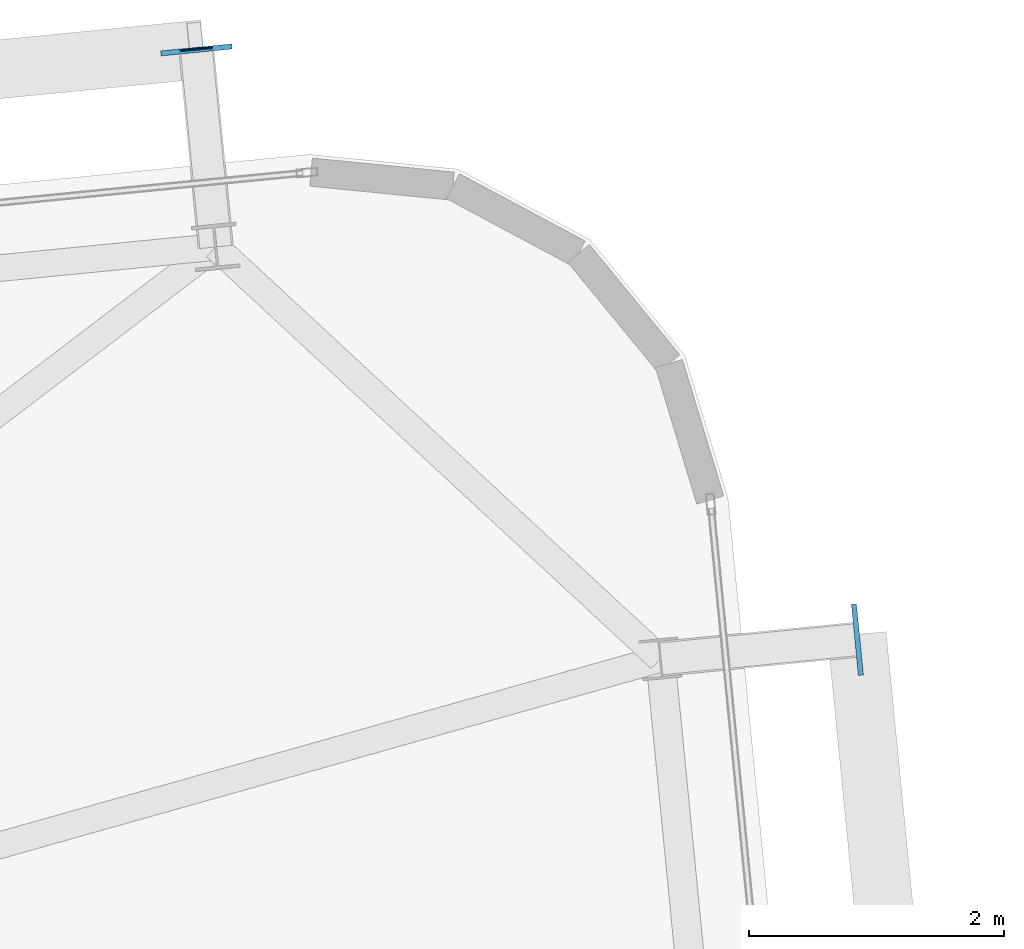
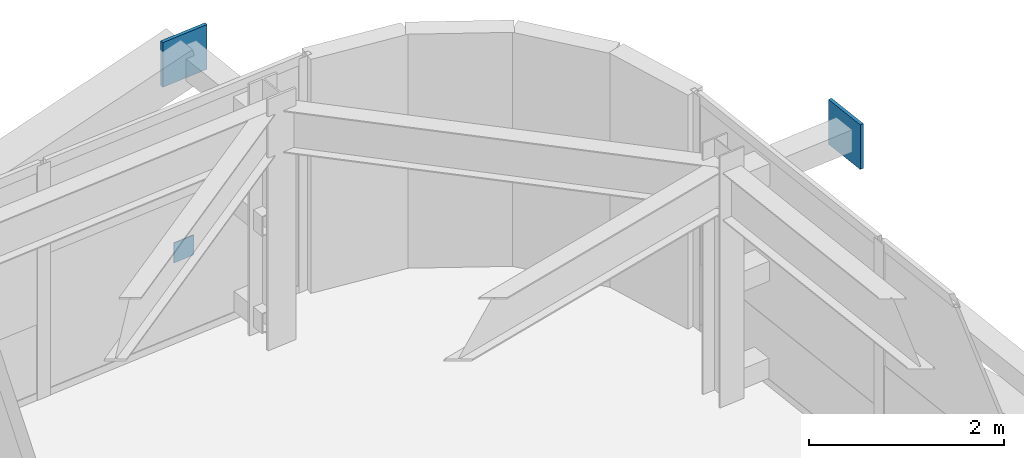
# One storey, part 45 of 52: 3 plates.
"""IFC4 building model written with IfcOpenShell, lengths in metres."""

from ifc_helpers import new_model, si_unit, direction, frame, origin, origin_2d, place, context, subcontext, project, spatial, rectangle, extrude, source, transform, mapped, material, layer, layer_set, type_object, element, save


model = new_model("IFC4")

# Units and contexts
model_context = context("Model", 3, precision=1e-05, world=origin(), true_north=direction((0.0, 1.0)))
body_context = subcontext(model_context, "Body", "Model", "MODEL_VIEW")
ifc_project = project(units=[si_unit("LENGTHUNIT", "METRE"), si_unit("AREAUNIT", "SQUARE_METRE"), si_unit("VOLUMEUNIT", "CUBIC_METRE"), si_unit("PLANEANGLEUNIT", "RADIAN"), si_unit("MASSUNIT", "GRAM", prefix="KILO")], contexts=[model_context])

# Site, building, storey
site_placement = place(None, origin())
site = spatial("IfcSite", under=ifc_project, at=site_placement, CompositionType="ELEMENT")
building_placement = place(site_placement, origin())
building = spatial("IfcBuilding", under=site, at=building_placement, Name="Taldren Reach Tower", CompositionType="ELEMENT")
storey_placement = place(building_placement, frame((0.0, 0.0, 74.550048828125)))
storey = spatial("IfcBuildingStorey", under=building, at=storey_placement, Name="L22", CompositionType="ELEMENT", Elevation=74.550048828125)

# Plates
ifc_material_1 = material(Name="Steel Gr 450 (C450L0)", Category="steel")
ifc_layer_1 = layer(ifc_material_1, 0.0400390625)
ifc_layer_set_1 = layer_set([ifc_layer_1], Name="Steel Gr 450 (C450L0)")
plate_type_1 = type_object("IfcPlateType", Name="PL-GUSSET-40", PredefinedType="SHEET", material=ifc_layer_set_1)
shared_shape_1 = source(origin(), body_context, "Body", "SweptSolid", [
    extrude(rectangle(XDim=0.56005859375, YDim=0.0400390625, at=origin_2d()), origin(), (0.0, 0.0, 1.0), 0.56005859375),
])
for number, where, z_axis, x_axis, name in (
    (1, (59.614501953125, 40.222412109375, 2.369873046875), (0.0, 0.0, 1.0), (0.995227399982, 0.097582899759, 0.0), "Exoskeleton star-node gusset plate B2-N6 L22"),
    (2, (64.789794921875, 35.60546875, 2.369873046875), (0.0, 0.0, 1.0), (-0.097582899759, 0.995227399982, 0.0), "Exoskeleton star-node gusset plate B2-E3 L22"),
):
    element("IfcPlate", number, at=place(storey_placement, frame(where, z_axis=z_axis, x_axis=x_axis)), inside=storey, type_object=plate_type_1, Name=name, PredefinedType="SHEET", context=body_context, shape_type="MappedRepresentation", body=[
        mapped(shared_shape_1, transform((0.0, 0.0, 0.0), scale=1.0)),
    ])
ifc_material_2 = material(Name="Steel Gr 350 (C350L0)", Category="steel")
ifc_layer_2 = layer(ifc_material_2, 0.011962890625)
ifc_layer_set_2 = layer_set([ifc_layer_2], Name="Steel Gr 350 (C350L0)")
plate_type_2 = type_object("IfcPlateType", Name="PL-CAP-250", PredefinedType="SHEET", material=ifc_layer_set_2)
shared_shape_2 = source(origin(), body_context, "Body", "SweptSolid", [
    extrude(rectangle(XDim=0.25, YDim=0.011962890625, at=origin_2d()), origin(), (0.0, 0.0, 1.0), 0.25),
])
plate_placement = place(storey_placement, frame((59.614013671875, 40.228515625, 0.094970703125), z_axis=(0.0, 0.0, 1.0), x_axis=(0.995227399982, 0.097582899759, 0.0)))
element("IfcPlate", 3, at=plate_placement, inside=storey, type_object=plate_type_2, Name="Tie strut end cap plate B2-N6 L22", PredefinedType="SHEET", context=body_context, shape_type="MappedRepresentation", body=[
    mapped(shared_shape_2, transform((0.0, 0.0, 0.0), scale=1.0)),
])

save(model, "model.ifc")
